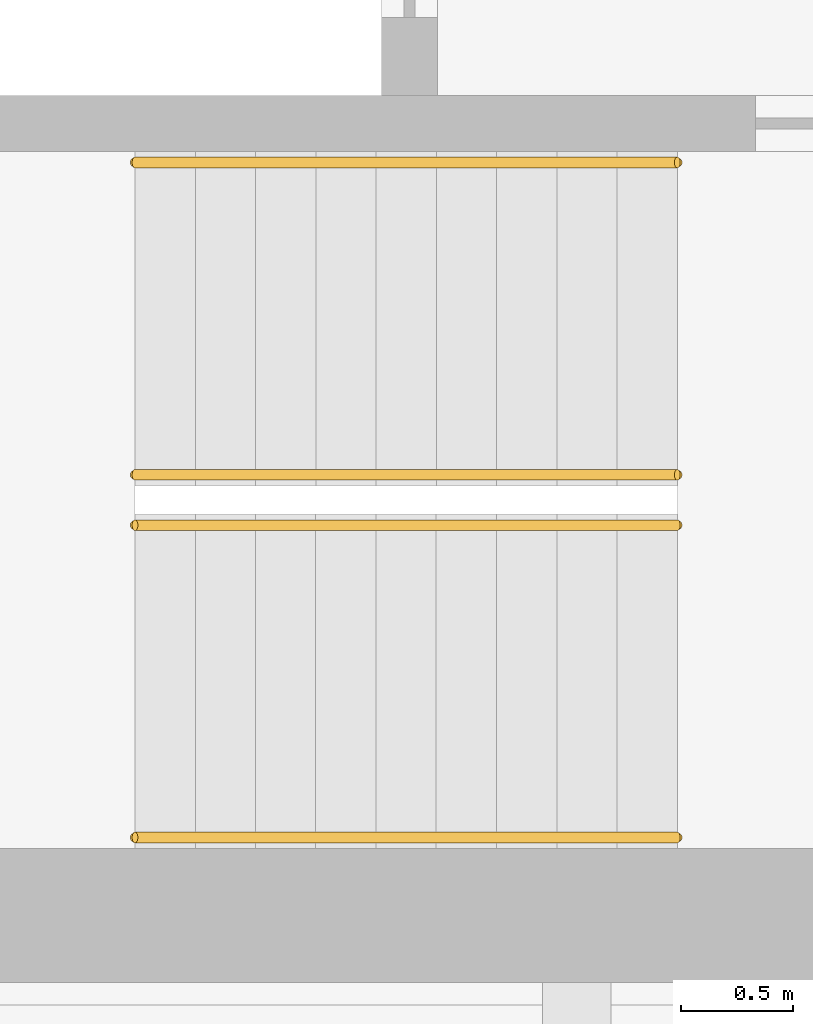
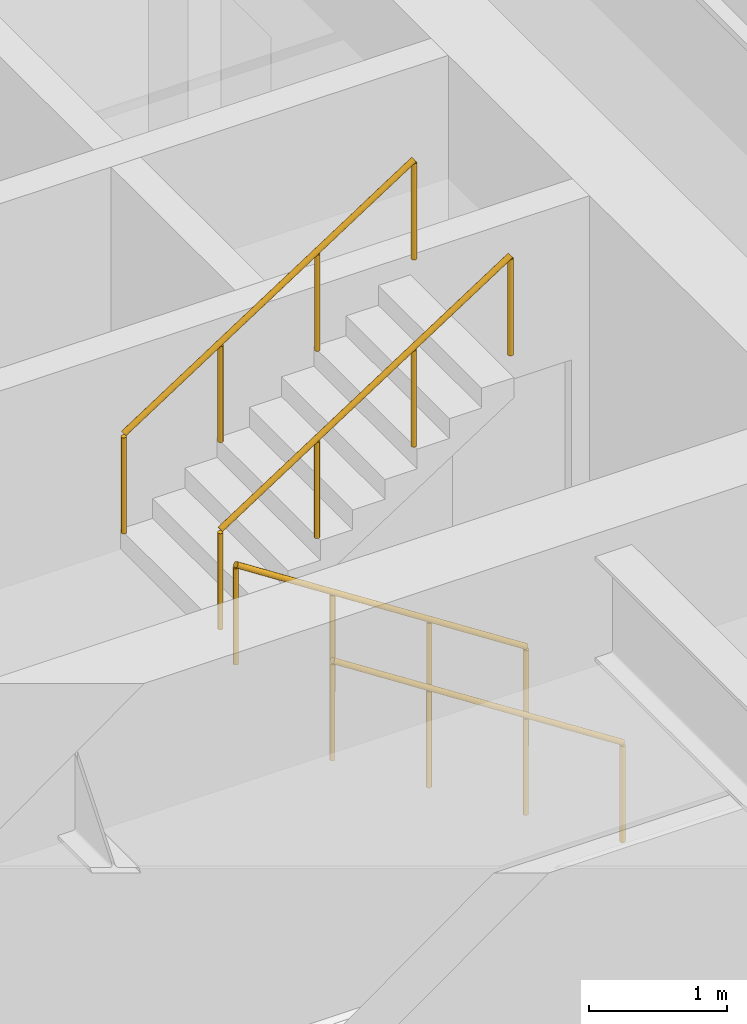
# One storey, part 17 of 21: 4 railings.
"""IFC4 building model written with IfcOpenShell, lengths in metres."""

from ifc_helpers import new_model, si_unit, direction, frame, origin, origin_2d, place, context, subcontext, project, spatial, circle, extrude, material, type_object, element, save


model = new_model("IFC4")

# Units and contexts
model_context = context("Model", 3, precision=1e-05, world=origin(), true_north=direction((0.0, 1.0)))
body_context = subcontext(model_context, "Body", "Model", "MODEL_VIEW")
ifc_project = project(units=[si_unit("LENGTHUNIT", "METRE"), si_unit("AREAUNIT", "SQUARE_METRE"), si_unit("VOLUMEUNIT", "CUBIC_METRE"), si_unit("PLANEANGLEUNIT", "RADIAN"), si_unit("MASSUNIT", "GRAM", prefix="KILO")], contexts=[model_context])

# Site, building, storey
site_placement = place(None, origin())
site = spatial("IfcSite", under=ifc_project, at=site_placement, CompositionType="ELEMENT")
building_placement = place(site_placement, origin())
building = spatial("IfcBuilding", under=site, at=building_placement, Name="Msasa Ring Tower", CompositionType="ELEMENT")
storey_placement = place(building_placement, frame((0.0, 0.0, 100.0)))
storey = spatial("IfcBuildingStorey", under=building, at=storey_placement, Name="L26", CompositionType="ELEMENT", Elevation=100.0)

# Railings
ifc_material = material(Name="Stainless steel", Category="steel")
railing_type = type_object("IfcRailingType", Name="HR1 HANDRAIL 900", PredefinedType="HANDRAIL", material=ifc_material)
for number, where, name in (
    (1, (-10.800048828125, -6.39990234375, 0.175048828125), "Handrail stair SWA L26 1"),
    (2, (-10.800048828125, -5.0, 0.175048828125), "Handrail stair SWA L26 2"),
):
    element("IfcRailing", number, at=place(storey_placement, frame(where)), inside=storey, type_object=railing_type, Name=name, PredefinedType="HANDRAIL", context=body_context, shape_type="SweptSolid", body=[
        extrude(circle(Radius=0.02392578125, at=origin_2d()), frame((0.0, 0.0, 0.8759765625), z_axis=(-0.839153699163, 0.0, 0.543894354798), x_axis=(0.0, -1.0, 0.0)), (0.0, 0.0, 1.0), 2.895751953125),
        extrude(circle(Radius=0.02099609375, at=origin_2d()), origin(), (0.0, 0.0, 1.0), 0.851806640625),
        extrude(circle(Radius=0.02099609375, at=origin_2d()), frame((-0.81005859375, 0.0, 0.52490234375)), (0.0, 0.0, 1.0), 0.851806640625),
        extrude(circle(Radius=0.02099609375, at=origin_2d()), frame((-1.619873046875, 0.0, 1.050048828125)), (0.0, 0.0, 1.0), 0.851806640625),
        extrude(circle(Radius=0.02099609375, at=origin_2d()), frame((-2.429931640625, 0.0, 1.574951171875)), (0.0, 0.0, 1.0), 0.851806640625),
    ])
for number, where, name in (
    (3, (-13.22998046875, -4.77490234375, 1.925048828125), "Handrail stair SWA L26 3"),
    (4, (-13.22998046875, -3.375, 1.925048828125), "Handrail stair SWA L26 4"),
):
    element("IfcRailing", number, at=place(storey_placement, frame(where)), inside=storey, type_object=railing_type, Name=name, PredefinedType="HANDRAIL", context=body_context, shape_type="SweptSolid", body=[
        extrude(circle(Radius=0.02392578125, at=origin_2d()), frame((0.0, 0.0, 0.8759765625), z_axis=(0.839153699163, 0.0, 0.543894354798), x_axis=(0.0, 1.0, 0.0)), (0.0, 0.0, 1.0), 2.895751953125),
        extrude(circle(Radius=0.02099609375, at=origin_2d()), origin(), (0.0, 0.0, 1.0), 0.851806640625),
        extrude(circle(Radius=0.02099609375, at=origin_2d()), frame((0.81005859375, 0.0, 0.52490234375)), (0.0, 0.0, 1.0), 0.851806640625),
        extrude(circle(Radius=0.02099609375, at=origin_2d()), frame((1.619873046875, 0.0, 1.050048828125)), (0.0, 0.0, 1.0), 0.851806640625),
        extrude(circle(Radius=0.02099609375, at=origin_2d()), frame((2.429931640625, 0.0, 1.574951171875)), (0.0, 0.0, 1.0), 0.851806640625),
    ])

save(model, "model.ifc")
